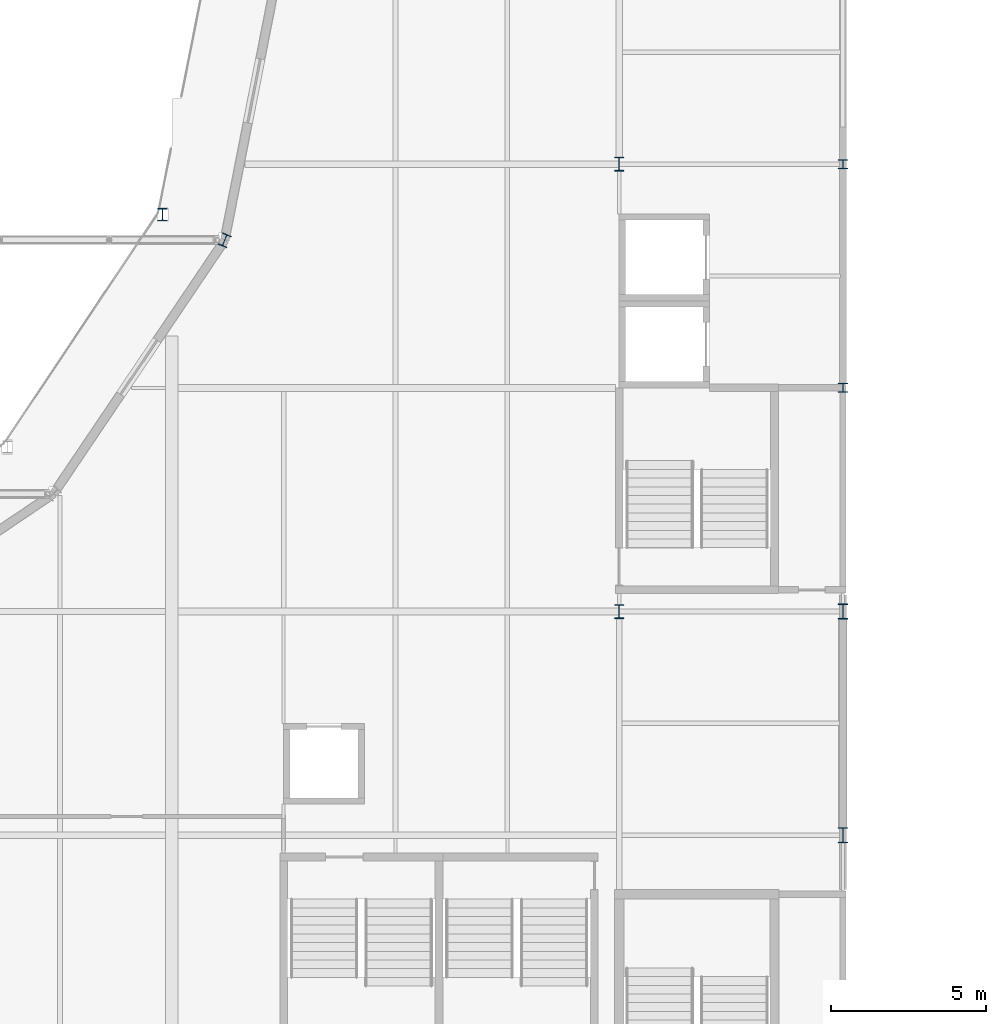
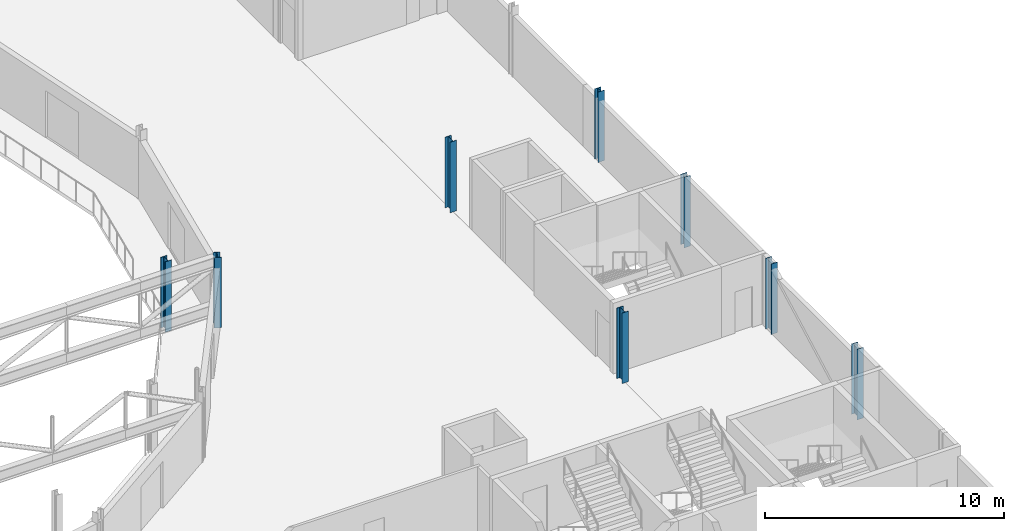
# One storey, part 6 of 143: 8 columns.
"""IFC4 building model written with IfcOpenShell, lengths in metres."""

from ifc_helpers import new_model, si_unit, direction, frame, origin, origin_2d, place, context, subcontext, project, spatial, i_section, extrude, material, material_profile, profile_set, type_object, element, save


model = new_model("IFC4")

# Units and contexts
model_context = context("Model", 3, precision=1e-05, world=origin(), true_north=direction((0.0, 1.0)))
body_context = subcontext(model_context, "Body", "Model", "MODEL_VIEW")
ifc_project = project(units=[si_unit("LENGTHUNIT", "METRE"), si_unit("AREAUNIT", "SQUARE_METRE"), si_unit("VOLUMEUNIT", "CUBIC_METRE"), si_unit("PLANEANGLEUNIT", "RADIAN"), si_unit("MASSUNIT", "GRAM", prefix="KILO")], contexts=[model_context])

# Site, building, storey
site_placement = place(None, origin())
site = spatial("IfcSite", under=ifc_project, at=site_placement, CompositionType="ELEMENT")
building_placement = place(site_placement, origin())
building = spatial("IfcBuilding", under=site, at=building_placement, Name="Kupolbacken Congress Centre", CompositionType="ELEMENT")
storey_placement = place(building_placement, frame((0.0, 0.0, 7.199951171875)))
storey = spatial("IfcBuildingStorey", under=building, at=storey_placement, Name="L02", CompositionType="ELEMENT", Elevation=7.199951171875)

# Columns
ifc_material_1 = material(Name="Steel S355", Category="steel")
ifc_material_profile_1 = material_profile(ifc_material_1, i_section(OverallWidth=0.300048828125, OverallDepth=0.449951171875, WebThickness=0.013916015625, FlangeThickness=0.02587890625, FilletRadius=0.027099609375, at=origin_2d()), Name="HEB 450")
ifc_profile_set_1 = profile_set([ifc_material_profile_1], Name="Steel S355")
column_type_1 = type_object("IfcColumnType", Name="C03 column HEB 450", PredefinedType="COLUMN", material=ifc_profile_set_1)
for number, where, z_axis, x_axis, name in (
    (1, (79.199951171875, 64.800048828125, 0.0), (0.0, 0.0, 1.0), (1.0, 0.0, 0.0), "S/col/C-P-12K/L02"),
    (2, (79.199951171875, 79.199951171875, 0.0), (0.0, 0.0, 1.0), (1.0, 0.0, 0.0), "S/col/C-P-12M/L02"),
):
    element("IfcColumn", number, at=place(storey_placement, frame(where, z_axis=z_axis, x_axis=x_axis)), inside=storey, type_object=column_type_1, Name=name, PredefinedType="COLUMN", context=body_context, shape_type="SweptSolid", body=[
        extrude(i_section(OverallWidth=0.300048828125, OverallDepth=0.449951171875, WebThickness=0.013916015625, FlangeThickness=0.02587890625, FilletRadius=0.027099609375, at=origin_2d()), origin(), (0.0, 0.0, 1.0), 3.60009765625),
    ])
ifc_material_2 = material(Name="Steel S355", Category="steel")
ifc_material_profile_2 = material_profile(ifc_material_2, i_section(OverallWidth=0.300048828125, OverallDepth=0.39990234375, WebThickness=0.013427734375, FlangeThickness=0.02392578125, FilletRadius=0.027099609375, at=origin_2d()), Name="HEB 400")
ifc_profile_set_2 = profile_set([ifc_material_profile_2], Name="Steel S355")
column_type_2 = type_object("IfcColumnType", Name="C08 column HEB 400", PredefinedType="COLUMN", material=ifc_profile_set_2)
for number, where, z_axis, x_axis, name in (
    (3, (66.5, 76.75, 0.0), (0.0, 0.0, 1.0), (0.923896018243, -0.382643629864, 0.0), "S/col/C-D16/L02"),
    (4, (64.503662109375, 77.57568359375, 0.0), (0.0, 0.0, 1.0), (1.0, 0.0, 0.0), "Plenary ring column"),
):
    element("IfcColumn", number, at=place(storey_placement, frame(where, z_axis=z_axis, x_axis=x_axis)), inside=storey, type_object=column_type_2, Name=name, PredefinedType="COLUMN", context=body_context, shape_type="SweptSolid", body=[
        extrude(i_section(OverallWidth=0.300048828125, OverallDepth=0.39990234375, WebThickness=0.013427734375, FlangeThickness=0.02392578125, FilletRadius=0.027099609375, at=origin_2d()), origin(), (0.0, 0.0, 1.0), 3.60009765625),
    ])
ifc_material_3 = material(Name="Steel S355", Category="steel")
ifc_material_profile_3 = material_profile(ifc_material_3, i_section(OverallWidth=0.300048828125, OverallDepth=0.2900390625, WebThickness=0.008544921875, FlangeThickness=0.013916015625, FilletRadius=0.027099609375, at=origin_2d()), Name="HEA 300")
ifc_profile_set_3 = profile_set([ifc_material_profile_3], Name="Steel S355")
column_type_3 = type_object("IfcColumnType", Name="C09 column HEA 300", PredefinedType="COLUMN", material=ifc_profile_set_3)
for number, where, z_axis, x_axis, name in (
    (5, (86.39990234375, 72.0, 0.0), (0.0, 0.0, 1.0), (1.0, 0.0, 0.0), "S/col/C-H-PW05/L02"),
    (6, (86.39990234375, 79.199951171875, 0.0), (0.0, 0.0, 1.0), (1.0, 0.0, 0.0), "S/col/C-H-PW06/L02"),
):
    element("IfcColumn", number, at=place(storey_placement, frame(where, z_axis=z_axis, x_axis=x_axis)), inside=storey, type_object=column_type_3, Name=name, PredefinedType="COLUMN", context=body_context, shape_type="SweptSolid", body=[
        extrude(i_section(OverallWidth=0.300048828125, OverallDepth=0.2900390625, WebThickness=0.008544921875, FlangeThickness=0.013916015625, FilletRadius=0.027099609375, at=origin_2d()), origin(), (0.0, 0.0, 1.0), 3.60009765625),
    ])
ifc_material_4 = material(Name="Steel S355", Category="steel")
ifc_material_profile_4 = material_profile(ifc_material_4, i_section(OverallWidth=0.300048828125, OverallDepth=0.489990234375, WebThickness=0.011962890625, FlangeThickness=0.02294921875, FilletRadius=0.027099609375, at=origin_2d()), Name="HEA 500")
ifc_profile_set_4 = profile_set([ifc_material_profile_4], Name="Steel S355")
column_type_4 = type_object("IfcColumnType", Name="C14 column HEA 500", PredefinedType="COLUMN", material=ifc_profile_set_4)
for number, where, z_axis, x_axis, name in (
    (7, (86.39990234375, 57.60009765625, 0.0), (0.0, 0.0, 1.0), (1.0, 0.0, 0.0), "S/col/C-H-PW03/L02"),
    (8, (86.39990234375, 64.800048828125, 0.0), (0.0, 0.0, 1.0), (1.0, 0.0, 0.0), "S/col/C-H-PW04/L02"),
):
    element("IfcColumn", number, at=place(storey_placement, frame(where, z_axis=z_axis, x_axis=x_axis)), inside=storey, type_object=column_type_4, Name=name, PredefinedType="COLUMN", context=body_context, shape_type="SweptSolid", body=[
        extrude(i_section(OverallWidth=0.300048828125, OverallDepth=0.489990234375, WebThickness=0.011962890625, FlangeThickness=0.02294921875, FilletRadius=0.027099609375, at=origin_2d()), origin(), (0.0, 0.0, 1.0), 3.60009765625),
    ])

save(model, "model.ifc")
